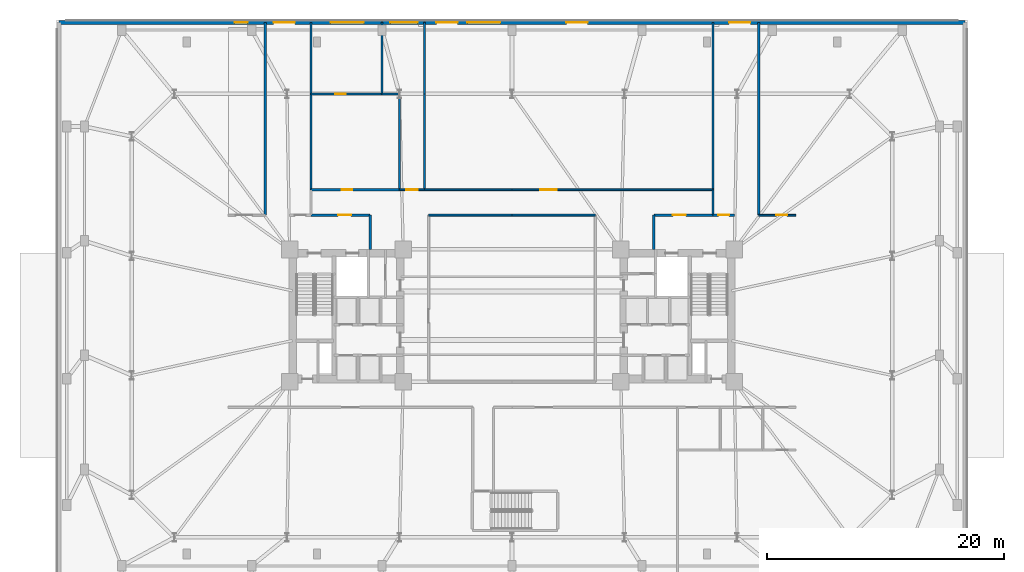
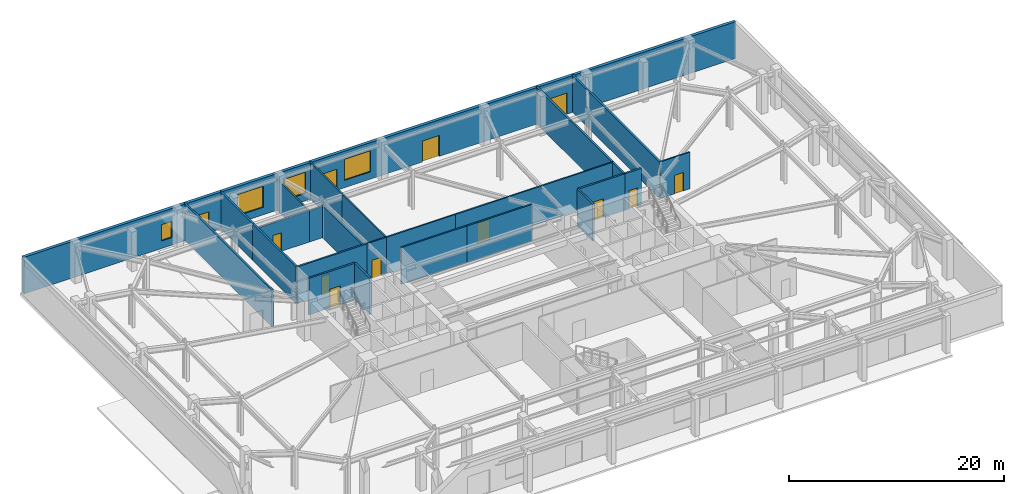
# One storey, part 11 of 18: 25 walls, 12 doors, 4 windows, 16 openings.
"""IFC4 building model written with IfcOpenShell, lengths in metres."""

from ifc_helpers import new_model, si_unit, direction, frame, frame_2d, origin, place, context, subcontext, project, spatial, rectangle, extrude, material, layer, layer_set, type_object, element, fill, save


model = new_model("IFC4")

# Units and contexts
model_context = context("Model", 3, precision=1e-05, world=origin(), true_north=direction((0.0, 1.0)))
body_context = subcontext(model_context, "Body", "Model", "MODEL_VIEW")
ifc_project = project(units=[si_unit("LENGTHUNIT", "METRE"), si_unit("AREAUNIT", "SQUARE_METRE"), si_unit("VOLUMEUNIT", "CUBIC_METRE"), si_unit("PLANEANGLEUNIT", "RADIAN"), si_unit("MASSUNIT", "GRAM", prefix="KILO")], contexts=[model_context])

# Site, building, storey
site_placement = place(None, origin())
site = spatial("IfcSite", under=ifc_project, at=site_placement, CompositionType="ELEMENT")
building_placement = place(site_placement, origin())
building = spatial("IfcBuilding", under=site, at=building_placement, Name="Qobustan Lattice House", CompositionType="ELEMENT")
storey_placement = place(building_placement, origin())
storey = spatial("IfcBuildingStorey", under=building, at=storey_placement, Name="L00", CompositionType="ELEMENT", Elevation=0.0)

# Wall, openings, doors, windows
ifc_material_1 = material(Name="Precast concrete C40/50", Category="concrete")
ifc_layer_1 = layer(ifc_material_1, 0.320068359375)
ifc_layer_set_1 = layer_set([ifc_layer_1], Name="Precast concrete C40/50")
wall_type_1 = type_object("IfcWallType", Name="WAL-EXT-STONE-320", PredefinedType="SOLIDWALL", material=ifc_layer_set_1)
wall_1_placement = place(storey_placement, frame((-38.300048828125, 24.800048828125, 0.0), z_axis=(0.0, 0.0, 1.0), x_axis=(1.0, 0.0, 0.0)))
wall_1 = element("IfcWall", 1, at=wall_1_placement, inside=storey, type_object=wall_type_1, Name="L00 exterior limestone-clad wall 2", PredefinedType="SOLIDWALL", context=body_context, shape_type="SweptSolid", body=[
    extrude(rectangle(XDim=76.60009765625, YDim=0.320068359375, at=frame_2d((38.300048828125, 0.0))), origin(), (0.0, 0.0, 1.0), 4.169921875),
])
opening_1_placement = place(wall_1_placement, frame((18.14990234375, 0.0, 0.0)))
opening_1 = element("IfcOpeningElement", 2, at=opening_1_placement, cuts=wall_1, Name="Opening ED-01", PredefinedType="OPENING", context=body_context, shape_type="SweptSolid", body=[
    extrude(rectangle(XDim=1.800048828125, YDim=2.39990234375, at=frame_2d((0.89990234375, 1.199951171875))), frame((0.0, 0.169921875, 0.0), z_axis=(0.0, -1.0, 0.0), x_axis=(1.0, 0.0, 0.0)), (0.0, 0.0, 1.0), 0.340087890625),
])
opening_2_placement = place(wall_1_placement, frame((31.89990234375, 0.0, 0.0)))
opening_2 = element("IfcOpeningElement", 3, at=opening_2_placement, cuts=wall_1, Name="Opening ED-01", PredefinedType="OPENING", context=body_context, shape_type="SweptSolid", body=[
    extrude(rectangle(XDim=1.800048828125, YDim=2.39990234375, at=frame_2d((0.89990234375, 1.199951171875))), frame((0.0, 0.169921875, 0.0), z_axis=(0.0, -1.0, 0.0), x_axis=(1.0, 0.0, 0.0)), (0.0, 0.0, 1.0), 0.340087890625),
])
opening_3_placement = place(wall_1_placement, frame((42.89990234375, 0.0, 0.0)))
opening_3 = element("IfcOpeningElement", 4, at=opening_3_placement, cuts=wall_1, Name="Opening ED-01", PredefinedType="OPENING", context=body_context, shape_type="SweptSolid", body=[
    extrude(rectangle(XDim=1.800048828125, YDim=2.39990234375, at=frame_2d((0.89990234375, 1.199951171875))), frame((0.0, 0.169921875, 0.0), z_axis=(0.0, -1.0, 0.0), x_axis=(1.0, 0.0, 0.0)), (0.0, 0.0, 1.0), 0.340087890625),
])
opening_4_placement = place(wall_1_placement, frame((56.64990234375, 0.0, 0.0)))
opening_4 = element("IfcOpeningElement", 5, at=opening_4_placement, cuts=wall_1, Name="Opening ED-01", PredefinedType="OPENING", context=body_context, shape_type="SweptSolid", body=[
    extrude(rectangle(XDim=1.800048828125, YDim=2.39990234375, at=frame_2d((0.89990234375, 1.199951171875))), frame((0.0, 0.169921875, 0.0), z_axis=(0.0, -1.0, 0.0), x_axis=(1.0, 0.0, 0.0)), (0.0, 0.0, 1.0), 0.340087890625),
])
opening_5_placement = place(wall_1_placement, frame((14.837646484375, 0.0, 0.85009765625)))
opening_5 = element("IfcOpeningElement", 6, at=opening_5_placement, cuts=wall_1, Name="Opening WN-04", PredefinedType="OPENING", context=body_context, shape_type="SweptSolid", body=[
    extrude(rectangle(XDim=1.10009765625, YDim=1.85009765625, at=frame_2d((0.550048828125, 0.925048828125))), frame((0.0, 0.169921875, 0.0), z_axis=(0.0, -1.0, 0.0), x_axis=(1.0, 0.0, 0.0)), (0.0, 0.0, 1.0), 0.340087890625),
])
opening_6_placement = place(wall_1_placement, frame((22.97265625, 0.0, 0.85009765625)))
opening_6 = element("IfcOpeningElement", 7, at=opening_6_placement, cuts=wall_1, Name="Opening WN-17", PredefinedType="OPENING", context=body_context, shape_type="SweptSolid", body=[
    extrude(rectangle(XDim=2.800048828125, YDim=2.39990234375, at=frame_2d((1.39990234375, 1.199951171875))), frame((0.0, 0.169921875, 0.0), z_axis=(0.0, -1.0, 0.0), x_axis=(1.0, 0.0, 0.0)), (0.0, 0.0, 1.0), 0.340087890625),
])
opening_7_placement = place(wall_1_placement, frame((28.025146484375, 0.0, 0.85009765625)))
opening_7 = element("IfcOpeningElement", 8, at=opening_7_placement, cuts=wall_1, Name="Opening WN-16", PredefinedType="OPENING", context=body_context, shape_type="SweptSolid", body=[
    extrude(rectangle(XDim=2.300048828125, YDim=2.39990234375, at=frame_2d((1.14990234375, 1.199951171875))), frame((0.0, 0.169921875, 0.0), z_axis=(0.0, -1.0, 0.0), x_axis=(1.0, 0.0, 0.0)), (0.0, 0.0, 1.0), 0.340087890625),
])
opening_8_placement = place(wall_1_placement, frame((34.52099609375, 0.0, 0.85009765625)))
opening_8 = element("IfcOpeningElement", 9, at=opening_8_placement, cuts=wall_1, Name="Opening WN-17", PredefinedType="OPENING", context=body_context, shape_type="SweptSolid", body=[
    extrude(rectangle(XDim=2.800048828125, YDim=2.39990234375, at=frame_2d((1.39990234375, 1.199951171875))), frame((0.0, 0.169921875, 0.0), z_axis=(0.0, -1.0, 0.0), x_axis=(1.0, 0.0, 0.0)), (0.0, 0.0, 1.0), 0.340087890625),
])
ifc_material_2 = material(Name="Thermally broken anodised aluminium glazed door", Category="aluminium")
door_type_1 = type_object("IfcDoorType", Name="DOR-EXT-EXIT-1800x2400", OperationType="NOTDEFINED", PredefinedType="DOOR", material=ifc_material_2)
door_1_placement = place(opening_1_placement, origin())
door_1 = element("IfcDoor", 10, at=door_1_placement, inside=storey, type_object=door_type_1, Name="L00 north protected stair discharge exit door ED-NPW", OperationType="DOUBLE_DOOR_SINGLE_SWING", OverallHeight=2.39990234375, OverallWidth=1.800048828125, PredefinedType="DOOR", context=body_context, shape_type="SweptSolid", body=[
    extrude(rectangle(XDim=1.800048828125, YDim=2.39990234375, at=frame_2d((0.89990234375, 1.199951171875))), frame((0.0, 0.02490234375, 0.0), z_axis=(0.0, -1.0, 0.0), x_axis=(1.0, 0.0, 0.0)), (0.0, 0.0, 1.0), 0.050048828125),
])
fill(opening_1, door_1)
door_2_placement = place(opening_2_placement, origin())
door_2 = element("IfcDoor", 11, at=door_2_placement, inside=storey, type_object=door_type_1, Name="L00 north protected stair discharge exit door ED-NW1", OperationType="DOUBLE_DOOR_SINGLE_SWING", OverallHeight=2.39990234375, OverallWidth=1.800048828125, PredefinedType="DOOR", context=body_context, shape_type="SweptSolid", body=[
    extrude(rectangle(XDim=1.800048828125, YDim=2.39990234375, at=frame_2d((0.89990234375, 1.199951171875))), frame((0.0, 0.02490234375, 0.0), z_axis=(0.0, -1.0, 0.0), x_axis=(1.0, 0.0, 0.0)), (0.0, 0.0, 1.0), 0.050048828125),
])
fill(opening_2, door_2)
door_3_placement = place(opening_3_placement, origin())
door_3 = element("IfcDoor", 12, at=door_3_placement, inside=storey, type_object=door_type_1, Name="L00 north protected stair discharge exit door ED-NE1", OperationType="DOUBLE_DOOR_SINGLE_SWING", OverallHeight=2.39990234375, OverallWidth=1.800048828125, PredefinedType="DOOR", context=body_context, shape_type="SweptSolid", body=[
    extrude(rectangle(XDim=1.800048828125, YDim=2.39990234375, at=frame_2d((0.89990234375, 1.199951171875))), frame((0.0, 0.02490234375, 0.0), z_axis=(0.0, -1.0, 0.0), x_axis=(1.0, 0.0, 0.0)), (0.0, 0.0, 1.0), 0.050048828125),
])
fill(opening_3, door_3)
door_4_placement = place(opening_4_placement, origin())
door_4 = element("IfcDoor", 13, at=door_4_placement, inside=storey, type_object=door_type_1, Name="L00 north protected stair discharge exit door ED-NPE", OperationType="DOUBLE_DOOR_SINGLE_SWING", OverallHeight=2.39990234375, OverallWidth=1.800048828125, PredefinedType="DOOR", context=body_context, shape_type="SweptSolid", body=[
    extrude(rectangle(XDim=1.800048828125, YDim=2.39990234375, at=frame_2d((0.89990234375, 1.199951171875))), frame((0.0, 0.02490234375, 0.0), z_axis=(0.0, -1.0, 0.0), x_axis=(1.0, 0.0, 0.0)), (0.0, 0.0, 1.0), 0.050048828125),
])
fill(opening_4, door_4)
ifc_material_3 = material(Name="Double-glazed low-E aluminium window", Category="aluminium")
window_type_1 = type_object("IfcWindowType", Name="WIN-NAR-1100x1850", PartitioningType="SINGLE_PANEL", PredefinedType="WINDOW", material=ifc_material_3)
window_1_placement = place(opening_5_placement, origin())
window_1 = element("IfcWindow", 14, at=window_1_placement, inside=storey, type_object=window_type_1, Name="L00 Parcel concierge room window", OverallHeight=1.85009765625, OverallWidth=1.10009765625, PartitioningType="SINGLE_PANEL", PredefinedType="WINDOW", context=body_context, shape_type="SweptSolid", body=[
    extrude(rectangle(XDim=1.10009765625, YDim=1.85009765625, at=frame_2d((0.550048828125, 0.925048828125))), frame((0.0, 0.030029296875, 0.0), z_axis=(0.0, -1.0, 0.0), x_axis=(1.0, 0.0, 0.0)), (0.0, 0.0, 1.0), 0.06005859375),
])
fill(opening_5, window_1)
ifc_material_4 = material(Name="Double-glazed low-E aluminium window", Category="aluminium")
window_type_2 = type_object("IfcWindowType", Name="WIN-POD-2300x2400", PartitioningType="SINGLE_PANEL", PredefinedType="WINDOW", material=ifc_material_4)
window_2_placement = place(opening_7_placement, origin())
window_2 = element("IfcWindow", 15, at=window_2_placement, inside=storey, type_object=window_type_2, Name="L00 Security dispatch room window", OverallHeight=2.39990234375, OverallWidth=2.300048828125, PartitioningType="SINGLE_PANEL", PredefinedType="WINDOW", context=body_context, shape_type="SweptSolid", body=[
    extrude(rectangle(XDim=2.300048828125, YDim=2.39990234375, at=frame_2d((1.14990234375, 1.199951171875))), frame((0.0, 0.030029296875, 0.0), z_axis=(0.0, -1.0, 0.0), x_axis=(1.0, 0.0, 0.0)), (0.0, 0.0, 1.0), 0.06005859375),
])
fill(opening_7, window_2)
ifc_material_5 = material(Name="Double-glazed low-E aluminium window", Category="aluminium")
window_type_3 = type_object("IfcWindowType", Name="WIN-POD-2800x2400", PartitioningType="SINGLE_PANEL", PredefinedType="WINDOW", material=ifc_material_5)
window_3_placement = place(opening_6_placement, origin())
window_3 = element("IfcWindow", 16, at=window_3_placement, inside=storey, type_object=window_type_3, Name="L00 Building security office window", OverallHeight=2.39990234375, OverallWidth=2.800048828125, PartitioningType="SINGLE_PANEL", PredefinedType="WINDOW", context=body_context, shape_type="SweptSolid", body=[
    extrude(rectangle(XDim=2.800048828125, YDim=2.39990234375, at=frame_2d((1.39990234375, 1.199951171875))), frame((0.0, 0.030029296875, 0.0), z_axis=(0.0, -1.0, 0.0), x_axis=(1.0, 0.0, 0.0)), (0.0, 0.0, 1.0), 0.06005859375),
])
fill(opening_6, window_3)
window_4_placement = place(opening_8_placement, origin())
window_4 = element("IfcWindow", 17, at=window_4_placement, inside=storey, type_object=window_type_3, Name="L00 Express observatory arrival hall window", OverallHeight=2.39990234375, OverallWidth=2.800048828125, PartitioningType="SINGLE_PANEL", PredefinedType="WINDOW", context=body_context, shape_type="SweptSolid", body=[
    extrude(rectangle(XDim=2.800048828125, YDim=2.39990234375, at=frame_2d((1.39990234375, 1.199951171875))), frame((0.0, 0.030029296875, 0.0), z_axis=(0.0, -1.0, 0.0), x_axis=(1.0, 0.0, 0.0)), (0.0, 0.0, 1.0), 0.06005859375),
])
fill(opening_8, window_4)

# Wall, opening, door
ifc_material_6 = material(Name="Gypsum fireboard acoustic partition", Category="gypsum")
ifc_layer_2 = layer(ifc_material_6, 0.179931640625)
ifc_layer_set_2 = layer_set([ifc_layer_2], Name="Gypsum fireboard acoustic partition")
wall_type_2 = type_object("IfcWallType", Name="WAL-FIRE-180", PredefinedType="PARTITIONING", material=ifc_layer_set_2)
wall_2_placement = place(storey_placement, frame((-17.0, 10.64990234375, 0.0), z_axis=(0.0, 0.0, 1.0), x_axis=(1.0, 0.0, 0.0)))
wall_2 = element("IfcWall", 18, at=wall_2_placement, inside=storey, type_object=wall_type_2, Name="L00 interior partition 45", PredefinedType="PARTITIONING", context=body_context, shape_type="SweptSolid", body=[
    extrude(rectangle(XDim=7.47998046875, YDim=0.179931640625, at=frame_2d((3.739990234375, 0.0))), origin(), (0.0, 0.0, 1.0), 4.169921875),
])
opening_9_placement = place(wall_2_placement, frame((2.612548828125, 0.0, 0.0)))
opening_9 = element("IfcOpeningElement", 19, at=opening_9_placement, cuts=wall_2, Name="Opening RD-01", PredefinedType="OPENING", context=body_context, shape_type="SweptSolid", body=[
    extrude(rectangle(XDim=0.89990234375, YDim=2.10009765625, at=frame_2d((0.449951171875, 1.050048828125))), frame((0.0, 0.099853515625, 0.0), z_axis=(0.0, -1.0, 0.0), x_axis=(1.0, 0.0, 0.0)), (0.0, 0.0, 1.0), 0.199951171875),
])
ifc_material_7 = material(Name="Persian walnut timber and steel frame door", Category="steel")
door_type_2 = type_object("IfcDoorType", Name="DOR-RISER-FD-900x2100", OperationType="NOTDEFINED", PredefinedType="DOOR", material=ifc_material_7)
door_5_placement = place(opening_9_placement, origin())
door_5 = element("IfcDoor", 20, at=door_5_placement, inside=storey, type_object=door_type_2, Name="L00 North-west podium corridor to Fire command and control room door", OperationType="SINGLE_SWING_RIGHT", OverallHeight=2.10009765625, OverallWidth=0.89990234375, PredefinedType="DOOR", context=body_context, shape_type="SweptSolid", body=[
    extrude(rectangle(XDim=0.89990234375, YDim=2.10009765625, at=frame_2d((0.449951171875, 1.050048828125))), frame((0.0, 0.02490234375, 0.0), z_axis=(0.0, -1.0, 0.0), x_axis=(1.0, 0.0, 0.0)), (0.0, 0.0, 1.0), 0.050048828125),
])
fill(opening_9, door_5)

wall_3_placement = place(storey_placement, frame((-17.0, 18.75, 0.0), z_axis=(0.0, 0.0, 1.0), x_axis=(1.0, 0.0, 0.0)))
wall_3 = element("IfcWall", 21, at=wall_3_placement, inside=storey, type_object=wall_type_2, Name="L00 interior partition 65", PredefinedType="PARTITIONING", context=body_context, shape_type="SweptSolid", body=[
    extrude(rectangle(XDim=6.0, YDim=0.179931640625, at=frame_2d((3.0, 0.0))), origin(), (0.0, 0.0, 1.0), 3.554931640625),
])
opening_10_placement = place(wall_3_placement, frame((2.0576171875, 0.0, 0.0)))
opening_10 = element("IfcOpeningElement", 22, at=opening_10_placement, cuts=wall_3, Name="Opening RD-01", PredefinedType="OPENING", context=body_context, shape_type="SweptSolid", body=[
    extrude(rectangle(XDim=0.89990234375, YDim=2.10009765625, at=frame_2d((0.449951171875, 1.050048828125))), frame((0.0, 0.099853515625, 0.0), z_axis=(0.0, -1.0, 0.0), x_axis=(1.0, 0.0, 0.0)), (0.0, 0.0, 1.0), 0.199951171875),
])
door_6_placement = place(opening_10_placement, origin())
door_6 = element("IfcDoor", 23, at=door_6_placement, inside=storey, type_object=door_type_2, Name="L00 Fire command and control room to Building security office door", OperationType="SINGLE_SWING_LEFT", OverallHeight=2.10009765625, OverallWidth=0.89990234375, PredefinedType="DOOR", context=body_context, shape_type="SweptSolid", body=[
    extrude(rectangle(XDim=0.89990234375, YDim=2.10009765625, at=frame_2d((0.449951171875, 1.050048828125))), frame((0.0, 0.02490234375, 0.0), z_axis=(0.0, -1.0, 0.0), x_axis=(1.0, 0.0, 0.0)), (0.0, 0.0, 1.0), 0.050048828125),
])
fill(opening_10, door_6)

# Walls
wall_4_placement = place(storey_placement, frame((-9.52001953125, 18.75, 0.0), z_axis=(0.0, 0.0, 1.0), x_axis=(0.0, -1.0, 0.0)))
element("IfcWall", 24, at=wall_4_placement, inside=storey, type_object=wall_type_2, Name="L00 interior partition 66", PredefinedType="PARTITIONING", context=body_context, shape_type="SweptSolid", body=[
    extrude(rectangle(XDim=8.10009765625, YDim=0.179931640625, at=frame_2d((4.050048828125, 0.0))), origin(), (0.0, 0.0, 1.0), 3.655029296875),
])
wall_5_placement = place(storey_placement, frame((-11.0, 18.75, 0.0), z_axis=(0.0, 0.0, 1.0), x_axis=(1.0, 0.0, 0.0)))
element("IfcWall", 25, at=wall_5_placement, inside=storey, type_object=wall_type_2, Name="L00 interior partition 67", PredefinedType="PARTITIONING", context=body_context, shape_type="SweptSolid", body=[
    extrude(rectangle(XDim=1.47998046875, YDim=0.179931640625, at=frame_2d((0.739990234375, 0.0))), origin(), (0.0, 0.0, 1.0), 3.554931640625),
])

# Wall, opening, door
ifc_material_8 = material(Name="Acoustic twin-stud gypsum partition", Category="gypsum")
ifc_layer_3 = layer(ifc_material_8, 0.14990234375)
ifc_layer_set_3 = layer_set([ifc_layer_3], Name="Acoustic twin-stud gypsum partition")
wall_type_3 = type_object("IfcWallType", Name="WAL-PART-150", PredefinedType="PARTITIONING", material=ifc_layer_set_3)
wall_6_placement = place(storey_placement, frame((-9.52001953125, 10.64990234375, 0.0), z_axis=(0.0, 0.0, 1.0), x_axis=(1.0, 0.0, 0.0)))
wall_6 = element("IfcWall", 26, at=wall_6_placement, inside=storey, type_object=wall_type_3, Name="L00 interior partition 46", PredefinedType="PARTITIONING", context=body_context, shape_type="SweptSolid", body=[
    extrude(rectangle(XDim=2.1201171875, YDim=0.14990234375, at=frame_2d((1.06005859375, 0.0))), origin(), (0.0, 0.0, 1.0), 4.169921875),
])
opening_11_placement = place(wall_6_placement, frame((0.5849609375, 0.0, 0.0)))
opening_11 = element("IfcOpeningElement", 27, at=opening_11_placement, cuts=wall_6, Name="Opening ID-01", PredefinedType="OPENING", context=body_context, shape_type="SweptSolid", body=[
    extrude(rectangle(XDim=0.949951171875, YDim=2.10009765625, at=frame_2d((0.47509765625, 1.050048828125))), frame((0.0, 0.0849609375, 0.0), z_axis=(0.0, -1.0, 0.0), x_axis=(1.0, 0.0, 0.0)), (0.0, 0.0, 1.0), 0.169921875),
])
ifc_material_9 = material(Name="Persian walnut timber and steel frame door", Category="steel")
door_type_3 = type_object("IfcDoorType", Name="DOR-ROOM-950x2100", OperationType="NOTDEFINED", PredefinedType="DOOR", material=ifc_material_9)
door_7_placement = place(opening_11_placement, origin())
door_7 = element("IfcDoor", 28, at=door_7_placement, inside=storey, type_object=door_type_3, Name="L00 North-west podium corridor to Security dispatch room door", OperationType="SINGLE_SWING_LEFT", OverallHeight=2.10009765625, OverallWidth=0.949951171875, PredefinedType="DOOR", context=body_context, shape_type="SweptSolid", body=[
    extrude(rectangle(XDim=0.949951171875, YDim=2.10009765625, at=frame_2d((0.47509765625, 1.050048828125))), frame((0.0, 0.02490234375, 0.0), z_axis=(0.0, -1.0, 0.0), x_axis=(1.0, 0.0, 0.0)), (0.0, 0.0, 1.0), 0.050048828125),
])
fill(opening_11, door_7)

# Wall
wall_7_placement = place(storey_placement, frame((-7.39990234375, 10.64990234375, 0.0), z_axis=(0.0, 0.0, 1.0), x_axis=(1.0, 0.0, 0.0)))
element("IfcWall", 29, at=wall_7_placement, inside=storey, type_object=wall_type_3, Name="L00 interior partition 47", PredefinedType="PARTITIONING", context=body_context, shape_type="SweptSolid", body=[
    extrude(rectangle(XDim=7.39990234375, YDim=0.14990234375, at=frame_2d((3.699951171875, 0.0))), origin(), (0.0, 0.0, 1.0), 4.169921875),
])

# Wall, opening, door
wall_8_placement = place(storey_placement, frame((0.0, 10.64990234375, 0.0), z_axis=(0.0, 0.0, 1.0), x_axis=(1.0, 0.0, 0.0)))
wall_8 = element("IfcWall", 30, at=wall_8_placement, inside=storey, type_object=wall_type_3, Name="L00 interior partition 49", PredefinedType="PARTITIONING", context=body_context, shape_type="SweptSolid", body=[
    extrude(rectangle(XDim=17.0, YDim=0.14990234375, at=frame_2d((8.5, 0.0))), origin(), (0.0, 0.0, 1.0), 4.169921875),
])
opening_12_placement = place(wall_8_placement, frame((2.385009765625, 0.0, 0.0)))
opening_12 = element("IfcOpeningElement", 31, at=opening_12_placement, cuts=wall_8, Name="Opening ID-04", PredefinedType="OPENING", context=body_context, shape_type="SweptSolid", body=[
    extrude(rectangle(XDim=1.39990234375, YDim=2.300048828125, at=frame_2d((0.699951171875, 1.14990234375))), frame((0.0, 0.0849609375, 0.0), z_axis=(0.0, -1.0, 0.0), x_axis=(1.0, 0.0, 0.0)), (0.0, 0.0, 1.0), 0.169921875),
])
ifc_material_10 = material(Name="Persian walnut timber and steel frame door", Category="steel")
door_type_4 = type_object("IfcDoorType", Name="DOR-POD-1400x2300", OperationType="NOTDEFINED", PredefinedType="DOOR", material=ifc_material_10)
door_8_placement = place(opening_12_placement, origin())
door_8 = element("IfcDoor", 32, at=door_8_placement, inside=storey, type_object=door_type_4, Name="L00 North-east podium corridor to Express observatory arrival hall door", OperationType="SINGLE_SWING_RIGHT", OverallHeight=2.300048828125, OverallWidth=1.39990234375, PredefinedType="DOOR", context=body_context, shape_type="SweptSolid", body=[
    extrude(rectangle(XDim=1.39990234375, YDim=2.300048828125, at=frame_2d((0.699951171875, 1.14990234375))), frame((0.0, 0.02490234375, 0.0), z_axis=(0.0, -1.0, 0.0), x_axis=(1.0, 0.0, 0.0)), (0.0, 0.0, 1.0), 0.050048828125),
])
fill(opening_12, door_8)

wall_9_placement = place(storey_placement, frame((20.85009765625, 8.5, 0.0), z_axis=(0.0, 0.0, 1.0), x_axis=(1.0, 0.0, 0.0)))
wall_9 = element("IfcWall", 33, at=wall_9_placement, inside=storey, type_object=wall_type_3, Name="L00 interior partition 64", PredefinedType="PARTITIONING", context=body_context, shape_type="SweptSolid", body=[
    extrude(rectangle(XDim=3.14990234375, YDim=0.14990234375, at=frame_2d((1.574951171875, 0.0))), origin(), (0.0, 0.0, 1.0), 4.169921875),
])
opening_13_placement = place(wall_9_placement, frame((1.489990234375, 0.0, 0.0)))
opening_13 = element("IfcOpeningElement", 34, at=opening_13_placement, cuts=wall_9, Name="Opening ID-01", PredefinedType="OPENING", context=body_context, shape_type="SweptSolid", body=[
    extrude(rectangle(XDim=0.949951171875, YDim=2.10009765625, at=frame_2d((0.47509765625, 1.050048828125))), frame((0.0, 0.0849609375, 0.0), z_axis=(0.0, -1.0, 0.0), x_axis=(1.0, 0.0, 0.0)), (0.0, 0.0, 1.0), 0.169921875),
])
door_9_placement = place(opening_13_placement, origin())
door_9 = element("IfcDoor", 35, at=door_9_placement, inside=storey, type_object=door_type_3, Name="L00 East concourse corridor to East arrival cloakroom door", OperationType="SINGLE_SWING_RIGHT", OverallHeight=2.10009765625, OverallWidth=0.949951171875, PredefinedType="DOOR", context=body_context, shape_type="SweptSolid", body=[
    extrude(rectangle(XDim=0.949951171875, YDim=2.10009765625, at=frame_2d((0.47509765625, 1.050048828125))), frame((0.0, 0.02490234375, 0.0), z_axis=(0.0, -1.0, 0.0), x_axis=(1.0, 0.0, 0.0)), (0.0, 0.0, 1.0), 0.050048828125),
])
fill(opening_13, door_9)

# Walls
wall_10_placement = place(storey_placement, frame((-11.0, 24.800048828125, 0.0), z_axis=(0.0, 0.0, 1.0), x_axis=(0.0, -1.0, 0.0)))
element("IfcWall", 36, at=wall_10_placement, inside=storey, type_object=wall_type_3, Name="L00 interior partition 68", PredefinedType="PARTITIONING", context=body_context, shape_type="SweptSolid", body=[
    extrude(rectangle(XDim=6.050048828125, YDim=0.14990234375, at=frame_2d((3.02490234375, 0.0))), origin(), (0.0, 0.0, 1.0), 3.554931640625),
])
wall_11_placement = place(storey_placement, frame((-7.39990234375, 18.75, 0.0), z_axis=(0.0, 0.0, 1.0), x_axis=(0.0, -1.0, 0.0)))
element("IfcWall", 37, at=wall_11_placement, inside=storey, type_object=wall_type_3, Name="L00 interior partition 69", PredefinedType="PARTITIONING", context=body_context, shape_type="SweptSolid", body=[
    extrude(rectangle(XDim=8.10009765625, YDim=0.14990234375, at=frame_2d((4.050048828125, 0.0))), origin(), (0.0, 0.0, 1.0), 4.169921875),
])
wall_12_placement = place(storey_placement, frame((-7.39990234375, 24.800048828125, 0.0), z_axis=(0.0, 0.0, 1.0), x_axis=(0.0, -1.0, 0.0)))
element("IfcWall", 38, at=wall_12_placement, inside=storey, type_object=wall_type_3, Name="L00 interior partition 70", PredefinedType="PARTITIONING", context=body_context, shape_type="SweptSolid", body=[
    extrude(rectangle(XDim=6.050048828125, YDim=0.14990234375, at=frame_2d((3.02490234375, 0.0))), origin(), (0.0, 0.0, 1.0), 4.169921875),
])
ifc_material_11 = material(Name="High-mass acoustic twin-stud partition", Category="gypsum")
ifc_layer_4 = layer(ifc_material_11, 0.1650390625)
ifc_layer_set_4 = layer_set([ifc_layer_4], Name="High-mass acoustic twin-stud partition")
wall_type_4 = type_object("IfcWallType", Name="WAL-PART-165", PredefinedType="PARTITIONING", material=ifc_layer_set_4)
for number, where, z_axis, x_axis, name in (
    (39, (0.0, 8.5, 0.0), (0.0, 0.0, 1.0), (-1.0, 0.0, 0.0), "L00 interior partition 48"),
    (40, (7.050048828125, 8.5, 0.0), (0.0, 0.0, 1.0), (-1.0, 0.0, 0.0), "L00 interior partition 50"),
):
    element("IfcWall", number, at=place(storey_placement, frame(where, z_axis=z_axis, x_axis=x_axis)), inside=storey, type_object=wall_type_4, Name=name, PredefinedType="PARTITIONING", context=body_context, shape_type="SweptSolid", body=[
        extrude(rectangle(XDim=7.050048828125, YDim=0.1650390625, at=frame_2d((3.52490234375, 0.0))), origin(), (0.0, 0.0, 1.0), 4.169921875),
    ])

# Wall, opening, door
ifc_material_12 = material(Name="Two-hour gypsum fireboard acoustic partition", Category="gypsum")
ifc_layer_5 = layer(ifc_material_12, 0.199951171875)
ifc_layer_set_5 = layer_set([ifc_layer_5], Name="Two-hour gypsum fireboard acoustic partition")
wall_type_5 = type_object("IfcWallType", Name="WAL-PROT-200", PredefinedType="PARTITIONING", material=ifc_layer_set_5)
wall_13_placement = place(storey_placement, frame((-12.0, 8.5, 0.0), z_axis=(0.0, 0.0, 1.0), x_axis=(-1.0, 0.0, 0.0)))
wall_13 = element("IfcWall", 41, at=wall_13_placement, inside=storey, type_object=wall_type_5, Name="L00 interior partition 4", PredefinedType="PARTITIONING", context=body_context, shape_type="SweptSolid", body=[
    extrude(rectangle(XDim=5.0, YDim=0.199951171875, at=frame_2d((2.5, 0.0))), origin(), (0.0, 0.0, 1.0), 4.169921875),
])
opening_14_placement = place(wall_13_placement, frame((1.607421875, 0.0, 0.0)))
opening_14 = element("IfcOpeningElement", 42, at=opening_14_placement, cuts=wall_13, Name="Opening SD-01", PredefinedType="OPENING", context=body_context, shape_type="SweptSolid", body=[
    extrude(rectangle(XDim=1.10009765625, YDim=2.14990234375, at=frame_2d((0.550048828125, 1.074951171875))), frame((0.0, 0.10986328125, 0.0), z_axis=(0.0, -1.0, 0.0), x_axis=(1.0, 0.0, 0.0)), (0.0, 0.0, 1.0), 0.219970703125),
])
ifc_material_13 = material(Name="Persian walnut timber and steel frame door", Category="steel")
door_type_5 = type_object("IfcDoorType", Name="DOR-STAIR-FD-1100x2150", OperationType="NOTDEFINED", PredefinedType="DOOR", material=ifc_material_13)
door_10_placement = place(opening_14_placement, origin())
door_10 = element("IfcDoor", 43, at=door_10_placement, inside=storey, type_object=door_type_5, Name="L00 West firefighting lift lobby to North-west podium corridor door", OperationType="SINGLE_SWING_LEFT", OverallHeight=2.14990234375, OverallWidth=1.10009765625, PredefinedType="DOOR", context=body_context, shape_type="SweptSolid", body=[
    extrude(rectangle(XDim=1.10009765625, YDim=2.14990234375, at=frame_2d((0.550048828125, 1.074951171875))), frame((0.0, 0.02490234375, 0.0), z_axis=(0.0, -1.0, 0.0), x_axis=(1.0, 0.0, 0.0)), (0.0, 0.0, 1.0), 0.050048828125),
])
fill(opening_14, door_10)

# Wall
wall_14_placement = place(storey_placement, frame((-12.0, 5.60009765625, 0.0), z_axis=(0.0, 0.0, 1.0), x_axis=(0.0, 1.0, 0.0)))
element("IfcWall", 44, at=wall_14_placement, inside=storey, type_object=wall_type_5, Name="L00 interior partition 5", PredefinedType="PARTITIONING", context=body_context, shape_type="SweptSolid", body=[
    extrude(rectangle(XDim=2.89990234375, YDim=0.199951171875, at=frame_2d((1.449951171875, 0.0))), origin(), (0.0, 0.0, 1.0), 4.169921875),
])

# Wall, opening, door
wall_15_placement = place(storey_placement, frame((18.800048828125, 8.5, 0.0), z_axis=(0.0, 0.0, 1.0), x_axis=(-1.0, 0.0, 0.0)))
wall_15 = element("IfcWall", 45, at=wall_15_placement, inside=storey, type_object=wall_type_5, Name="L00 interior partition 22", PredefinedType="PARTITIONING", context=body_context, shape_type="SweptSolid", body=[
    extrude(rectangle(XDim=1.800048828125, YDim=0.199951171875, at=frame_2d((0.89990234375, 0.0))), origin(), (0.0, 0.0, 1.0), 4.169921875),
])
opening_15_placement = place(wall_15_placement, frame((0.449951171875, 0.0, 0.0)))
opening_15 = element("IfcOpeningElement", 46, at=opening_15_placement, cuts=wall_15, Name="Opening RD-01", PredefinedType="OPENING", context=body_context, shape_type="SweptSolid", body=[
    extrude(rectangle(XDim=0.89990234375, YDim=2.10009765625, at=frame_2d((0.449951171875, 1.050048828125))), frame((0.0, 0.10986328125, 0.0), z_axis=(0.0, -1.0, 0.0), x_axis=(1.0, 0.0, 0.0)), (0.0, 0.0, 1.0), 0.219970703125),
])
door_11_placement = place(opening_15_placement, origin())
door_11 = element("IfcDoor", 47, at=door_11_placement, inside=storey, type_object=door_type_2, Name="L00 East firefighting lift lobby to East protected exit passage door", OperationType="SINGLE_SWING_LEFT", OverallHeight=2.10009765625, OverallWidth=0.89990234375, PredefinedType="DOOR", context=body_context, shape_type="SweptSolid", body=[
    extrude(rectangle(XDim=0.89990234375, YDim=2.10009765625, at=frame_2d((0.449951171875, 1.050048828125))), frame((0.0, 0.02490234375, 0.0), z_axis=(0.0, -1.0, 0.0), x_axis=(1.0, 0.0, 0.0)), (0.0, 0.0, 1.0), 0.050048828125),
])
fill(opening_15, door_11)

wall_16_placement = place(storey_placement, frame((17.0, 8.5, 0.0), z_axis=(0.0, 0.0, 1.0), x_axis=(-1.0, 0.0, 0.0)))
wall_16 = element("IfcWall", 48, at=wall_16_placement, inside=storey, type_object=wall_type_5, Name="L00 interior partition 23", PredefinedType="PARTITIONING", context=body_context, shape_type="SweptSolid", body=[
    extrude(rectangle(XDim=5.0, YDim=0.199951171875, at=frame_2d((2.5, 0.0))), origin(), (0.0, 0.0, 1.0), 4.169921875),
])
opening_16_placement = place(wall_16_placement, frame((2.29248046875, 0.0, 0.0)))
opening_16 = element("IfcOpeningElement", 49, at=opening_16_placement, cuts=wall_16, Name="Opening SD-01", PredefinedType="OPENING", context=body_context, shape_type="SweptSolid", body=[
    extrude(rectangle(XDim=1.10009765625, YDim=2.14990234375, at=frame_2d((0.550048828125, 1.074951171875))), frame((0.0, 0.10986328125, 0.0), z_axis=(0.0, -1.0, 0.0), x_axis=(1.0, 0.0, 0.0)), (0.0, 0.0, 1.0), 0.219970703125),
])
door_12_placement = place(opening_16_placement, origin())
door_12 = element("IfcDoor", 50, at=door_12_placement, inside=storey, type_object=door_type_5, Name="L00 East firefighting lift lobby to North-east podium corridor door", OperationType="SINGLE_SWING_RIGHT", OverallHeight=2.14990234375, OverallWidth=1.10009765625, PredefinedType="DOOR", context=body_context, shape_type="SweptSolid", body=[
    extrude(rectangle(XDim=1.10009765625, YDim=2.14990234375, at=frame_2d((0.550048828125, 1.074951171875))), frame((0.0, 0.02490234375, 0.0), z_axis=(0.0, -1.0, 0.0), x_axis=(1.0, 0.0, 0.0)), (0.0, 0.0, 1.0), 0.050048828125),
])
fill(opening_16, door_12)

# Walls
wall_17_placement = place(storey_placement, frame((12.0, 8.5, 0.0), z_axis=(0.0, 0.0, 1.0), x_axis=(0.0, -1.0, 0.0)))
element("IfcWall", 51, at=wall_17_placement, inside=storey, type_object=wall_type_5, Name="L00 interior partition 24", PredefinedType="PARTITIONING", context=body_context, shape_type="SweptSolid", body=[
    extrude(rectangle(XDim=2.89990234375, YDim=0.199951171875, at=frame_2d((1.449951171875, 0.0))), origin(), (0.0, 0.0, 1.0), 4.169921875),
])
wall_18_placement = place(storey_placement, frame((-17.0, 18.75, 0.0), z_axis=(0.0, 0.0, 1.0), x_axis=(0.0, -1.0, 0.0)))
element("IfcWall", 52, at=wall_18_placement, inside=storey, type_object=wall_type_5, Name="L00 interior partition 39", PredefinedType="PARTITIONING", context=body_context, shape_type="SweptSolid", body=[
    extrude(rectangle(XDim=8.10009765625, YDim=0.199951171875, at=frame_2d((4.050048828125, 0.0))), origin(), (0.0, 0.0, 1.0), 4.169921875),
])
wall_19_placement = place(storey_placement, frame((-17.0, 24.800048828125, 0.0), z_axis=(0.0, 0.0, 1.0), x_axis=(0.0, -1.0, 0.0)))
element("IfcWall", 53, at=wall_19_placement, inside=storey, type_object=wall_type_5, Name="L00 interior partition 40", PredefinedType="PARTITIONING", context=body_context, shape_type="SweptSolid", body=[
    extrude(rectangle(XDim=6.050048828125, YDim=0.199951171875, at=frame_2d((3.02490234375, 0.0))), origin(), (0.0, 0.0, 1.0), 4.169921875),
])
wall_20_placement = place(storey_placement, frame((-20.85009765625, 8.5, 0.0), z_axis=(0.0, 0.0, 1.0), x_axis=(0.0, 1.0, 0.0)))
element("IfcWall", 54, at=wall_20_placement, inside=storey, type_object=wall_type_5, Name="L00 interior partition 41", PredefinedType="PARTITIONING", context=body_context, shape_type="SweptSolid", body=[
    extrude(rectangle(XDim=16.300048828125, YDim=0.199951171875, at=frame_2d((8.14990234375, 0.0))), origin(), (0.0, 0.0, 1.0), 4.169921875),
])
wall_21_placement = place(storey_placement, frame((17.0, 8.5, 0.0), z_axis=(0.0, 0.0, 1.0), x_axis=(0.0, 1.0, 0.0)))
element("IfcWall", 55, at=wall_21_placement, inside=storey, type_object=wall_type_5, Name="L00 interior partition 42", PredefinedType="PARTITIONING", context=body_context, shape_type="SweptSolid", body=[
    extrude(rectangle(XDim=2.14990234375, YDim=0.199951171875, at=frame_2d((1.074951171875, 0.0))), origin(), (0.0, 0.0, 1.0), 4.169921875),
])
wall_22_placement = place(storey_placement, frame((17.0, 10.64990234375, 0.0), z_axis=(0.0, 0.0, 1.0), x_axis=(0.0, 1.0, 0.0)))
element("IfcWall", 56, at=wall_22_placement, inside=storey, type_object=wall_type_5, Name="L00 interior partition 43", PredefinedType="PARTITIONING", context=body_context, shape_type="SweptSolid", body=[
    extrude(rectangle(XDim=14.150146484375, YDim=0.199951171875, at=frame_2d((7.0751953125, 0.0))), origin(), (0.0, 0.0, 1.0), 4.169921875),
])
wall_23_placement = place(storey_placement, frame((20.85009765625, 24.800048828125, 0.0), z_axis=(0.0, 0.0, 1.0), x_axis=(0.0, -1.0, 0.0)))
element("IfcWall", 57, at=wall_23_placement, inside=storey, type_object=wall_type_5, Name="L00 interior partition 44", PredefinedType="PARTITIONING", context=body_context, shape_type="SweptSolid", body=[
    extrude(rectangle(XDim=16.300048828125, YDim=0.199951171875, at=frame_2d((8.14990234375, 0.0))), origin(), (0.0, 0.0, 1.0), 4.169921875),
])

save(model, "model.ifc")
